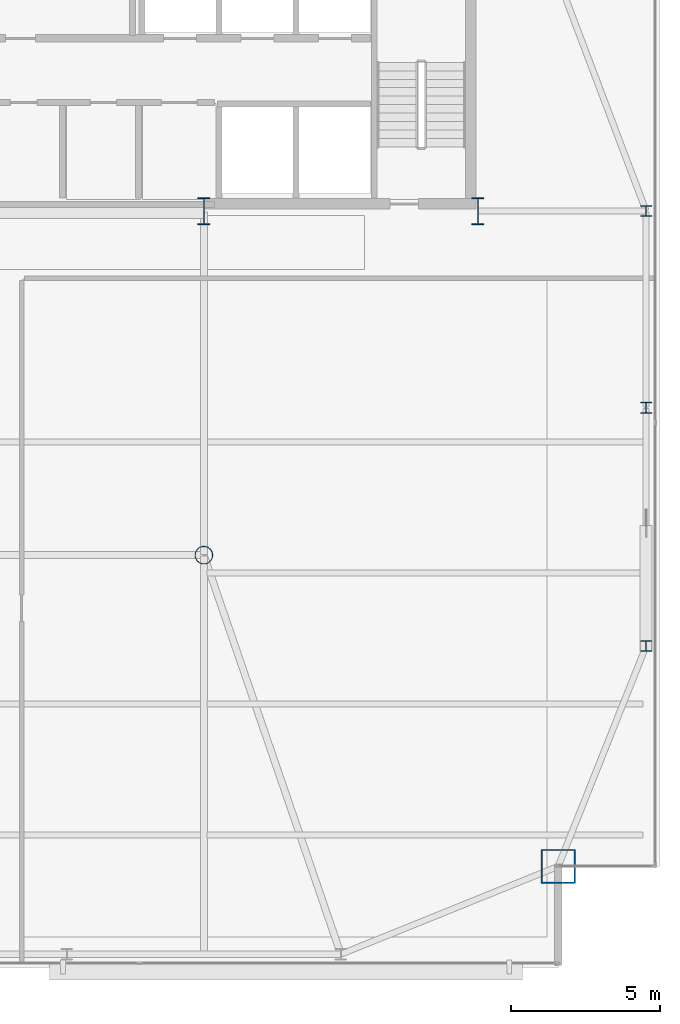
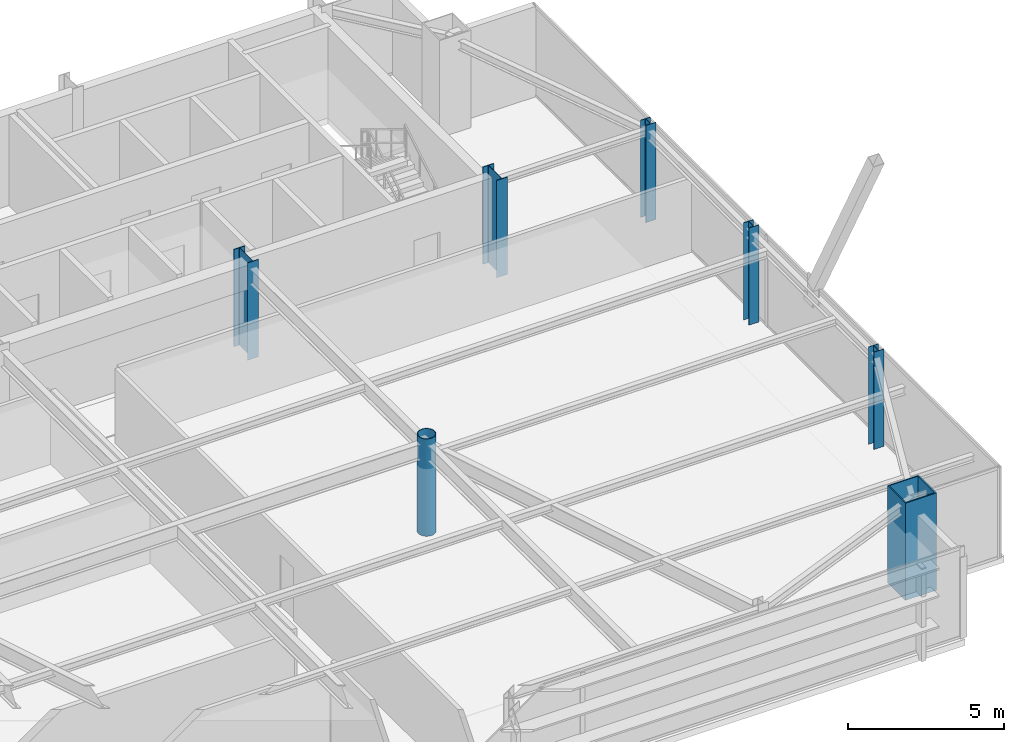
# One storey, part 2 of 27: 7 columns.
"""IFC4 building model written with IfcOpenShell, lengths in metres."""

from ifc_helpers import new_model, si_unit, direction, frame, origin, origin_2d, place, context, subcontext, project, spatial, hollow_rectangle, hollow_circle, i_section, extrude, source, transform, mapped, material, material_profile, profile_set, type_object, type_shapes, element, save


model = new_model("IFC4")

# Units and contexts
model_context = context("Model", 3, precision=1e-05, world=origin(), true_north=direction((0.0, 1.0)))
body_context = subcontext(model_context, "Body", "Model", "MODEL_VIEW")
ifc_project = project(units=[si_unit("LENGTHUNIT", "METRE"), si_unit("AREAUNIT", "SQUARE_METRE"), si_unit("VOLUMEUNIT", "CUBIC_METRE"), si_unit("PLANEANGLEUNIT", "RADIAN"), si_unit("MASSUNIT", "GRAM", prefix="KILO")], contexts=[model_context])

# Site, building, storey
site_placement = place(None, origin())
site = spatial("IfcSite", under=ifc_project, at=site_placement, CompositionType="ELEMENT")
building_placement = place(site_placement, origin())
building = spatial("IfcBuilding", under=site, at=building_placement, Name="Varnel Quay Broadcast Tower", CompositionType="ELEMENT")
storey_placement = place(building_placement, frame((0.0, 0.0, 243.199951171875)))
storey = spatial("IfcBuildingStorey", under=building, at=storey_placement, Name="L60", CompositionType="ELEMENT", Elevation=243.199951171875)

# Columns
ifc_material_1 = material(Name="Structural Steel CSA G40.21 350WT", Category="steel")
ifc_material_profile_1 = material_profile(ifc_material_1, i_section(OverallWidth=0.39990234375, OverallDepth=0.89990234375, WebThickness=0.01611328125, FlangeThickness=0.028076171875, FilletRadius=0.01611328125, at=origin_2d()), Name="WWF900X309")
ifc_profile_set_1 = profile_set([ifc_material_profile_1], Name="Structural Steel CSA G40.21 350WT")
column_type_1 = type_object("IfcColumnType", Name="Col_WWF900X309", PredefinedType="COLUMN", material=ifc_profile_set_1)
shared_shape_1 = source(origin(), body_context, "Body", "SweptSolid", [
    extrude(i_section(OverallWidth=0.39990234375, OverallDepth=0.89990234375, WebThickness=0.01611328125, FlangeThickness=0.028076171875, FilletRadius=0.01611328125, at=origin_2d()), origin(), (0.0, 0.0, 1.0), 3.800048828125),
])
type_shapes(column_type_1, [shared_shape_1])
for number, where, z_axis, x_axis, name in (
    (1, (43.199951171875, 35.60009765625, 0.0), (0.0, 0.0, 1.0), (1.0, 0.0, 0.0), "L60 Column CC-S4"),
    (2, (52.39990234375, 35.60009765625, 0.0), (0.0, 0.0, 1.0), (1.0, 0.0, 0.0), "L60 Column CC-S5"),
):
    element("IfcColumn", number, at=place(storey_placement, frame(where, z_axis=z_axis, x_axis=x_axis)), inside=storey, type_object=column_type_1, Name=name, PredefinedType="COLUMN", context=body_context, shape_type="MappedRepresentation", body=[
        mapped(shared_shape_1, transform((0.0, 0.0, 0.0), x_axis=(1.0, 0.0, 0.0), y_axis=(0.0, 1.0, 0.0), z_axis=(0.0, 0.0, 1.0), scale=1.0)),
    ])
ifc_material_profile_2 = material_profile(ifc_material_1, hollow_rectangle(XDim=1.14990234375, YDim=1.14990234375, WallThickness=0.044921875, at=origin_2d()), Name="BOX1150X1150X45")
ifc_profile_set_2 = profile_set([ifc_material_profile_2], Name="Structural Steel CSA G40.21 350WT")
column_type_2 = type_object("IfcColumnType", Name="Col_BOX1150X1150X45", PredefinedType="COLUMN", material=ifc_profile_set_2)
shared_shape_2 = source(origin(), body_context, "Body", "SweptSolid", [
    extrude(hollow_rectangle(XDim=1.14990234375, YDim=1.14990234375, WallThickness=0.044921875, at=origin_2d()), origin(), (0.0, 0.0, 1.0), 3.800048828125),
])
type_shapes(column_type_2, [shared_shape_2])
column_1_placement = place(storey_placement, frame((55.10009765625, 13.60009765625, 0.0), z_axis=(0.0, 0.0, 1.0), x_axis=(1.0, 0.0, 0.0)))
element("IfcColumn", 3, at=column_1_placement, inside=storey, type_object=column_type_2, Name="L60 Column MC-SE", PredefinedType="COLUMN", context=body_context, shape_type="MappedRepresentation", body=[
    mapped(shared_shape_2, transform((0.0, 0.0, 0.0), x_axis=(1.0, 0.0, 0.0), y_axis=(0.0, 1.0, 0.0), z_axis=(0.0, 0.0, 1.0), scale=1.0)),
])
ifc_material_2 = material(Name="Structural Steel CSA G40.21 350W", Category="steel")
ifc_material_profile_3 = material_profile(ifc_material_2, i_section(OverallWidth=0.368896484375, OverallDepth=0.35595703125, WebThickness=0.01123046875, FlangeThickness=0.01806640625, FilletRadius=0.01611328125, at=origin_2d()), Name="W360X134")
ifc_profile_set_3 = profile_set([ifc_material_profile_3], Name="Structural Steel CSA G40.21 350W")
column_type_3 = type_object("IfcColumnType", Name="Col_W360X134", PredefinedType="COLUMN", material=ifc_profile_set_3)
shared_shape_3 = source(origin(), body_context, "Body", "SweptSolid", [
    extrude(i_section(OverallWidth=0.368896484375, OverallDepth=0.35595703125, WebThickness=0.01123046875, FlangeThickness=0.01806640625, FilletRadius=0.01611328125, at=origin_2d()), origin(), (0.0, 0.0, 1.0), 3.800048828125),
])
type_shapes(column_type_3, [shared_shape_3])
for number, where, z_axis, x_axis, name in (
    (4, (58.050048828125, 21.0, 0.0), (0.0, 0.0, 1.0), (1.0, 0.0, 0.0), "L60 Column TC-E1"),
    (5, (58.050048828125, 29.0, 0.0), (0.0, 0.0, 1.0), (1.0, 0.0, 0.0), "L60 Column TC-E2"),
    (6, (58.050048828125, 35.60009765625, 0.0), (0.0, 0.0, 1.0), (1.0, 0.0, 0.0), "L60 Column TC-E3"),
):
    element("IfcColumn", number, at=place(storey_placement, frame(where, z_axis=z_axis, x_axis=x_axis)), inside=storey, type_object=column_type_3, Name=name, PredefinedType="COLUMN", context=body_context, shape_type="MappedRepresentation", body=[
        mapped(shared_shape_3, transform((0.0, 0.0, 0.0), x_axis=(1.0, 0.0, 0.0), y_axis=(0.0, 1.0, 0.0), z_axis=(0.0, 0.0, 1.0), scale=1.0)),
    ])
ifc_material_profile_4 = material_profile(ifc_material_2, hollow_circle(Radius=0.304931640625, WallThickness=0.02490234375, at=origin_2d()), Name="CHS610X25")
ifc_profile_set_4 = profile_set([ifc_material_profile_4], Name="Structural Steel CSA G40.21 350W")
column_type_4 = type_object("IfcColumnType", Name="Col_CHS610X25", PredefinedType="COLUMN", material=ifc_profile_set_4)
shared_shape_4 = source(origin(), body_context, "Body", "SweptSolid", [
    extrude(hollow_circle(Radius=0.304931640625, WallThickness=0.02490234375, at=origin_2d()), origin(), (0.0, 0.0, 1.0), 3.800048828125),
])
type_shapes(column_type_4, [shared_shape_4])
column_2_placement = place(storey_placement, frame((43.199951171875, 24.050048828125, 0.0), z_axis=(0.0, 0.0, 1.0), x_axis=(1.0, 0.0, 0.0)))
element("IfcColumn", 7, at=column_2_placement, inside=storey, type_object=column_type_4, Name="L60 Column IC-02", PredefinedType="COLUMN", context=body_context, shape_type="MappedRepresentation", body=[
    mapped(shared_shape_4, transform((0.0, 0.0, 0.0), x_axis=(1.0, 0.0, 0.0), y_axis=(0.0, 1.0, 0.0), z_axis=(0.0, 0.0, 1.0), scale=1.0)),
])

save(model, "model.ifc")
